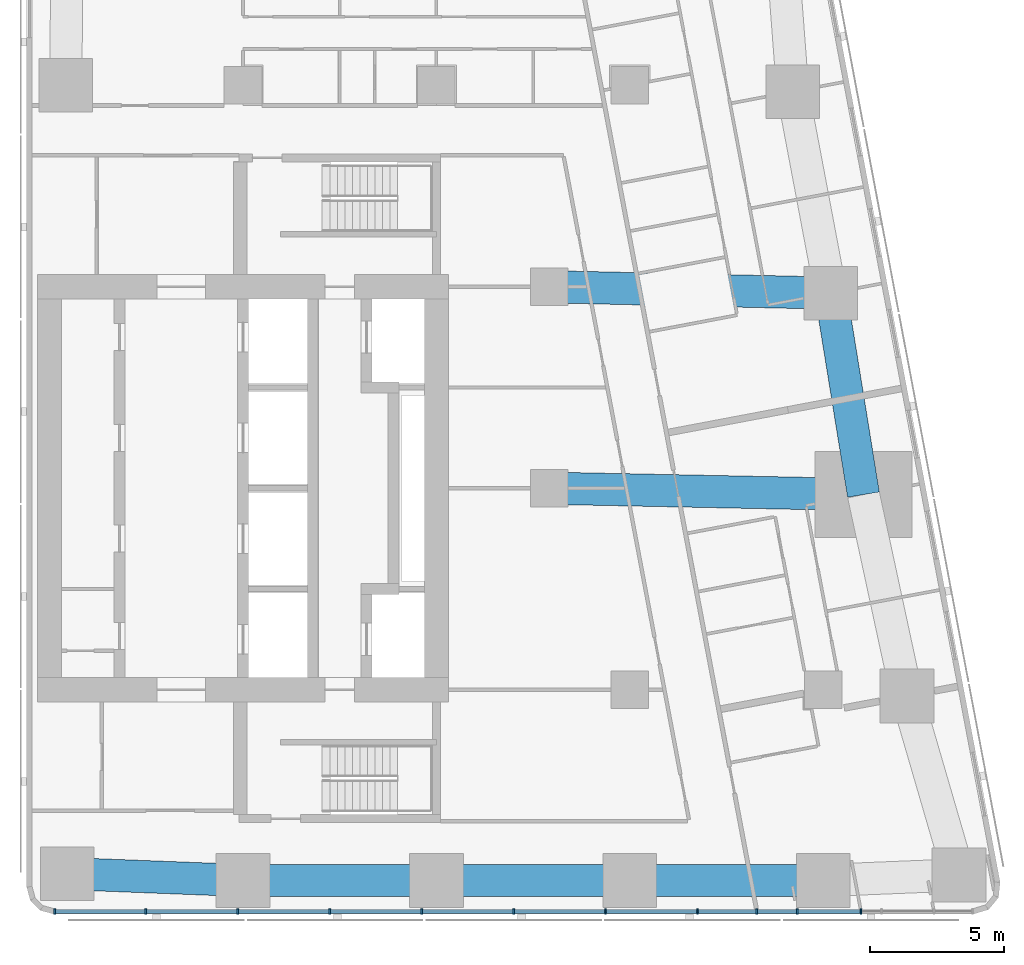
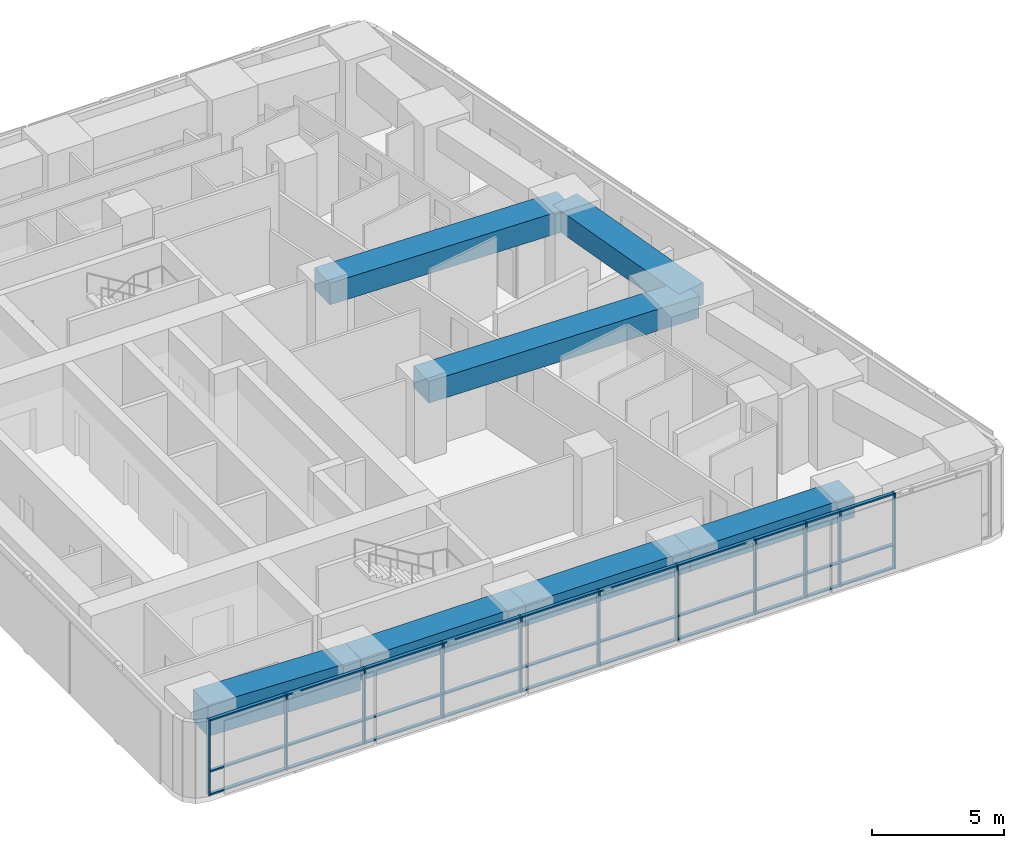
# One storey, part 2 of 11: 41 members, 7 beams, 1 element without a shape of its own.
"""IFC4 building model written with IfcOpenShell, lengths in metres."""

from ifc_helpers import new_model, si_unit, direction, frame, origin, origin_2d, place, context, subcontext, project, spatial, rectangle, extrude, material, material_profile, profile_set, type_object, element, aggregate, save


model = new_model("IFC4")

# Units and contexts
model_context = context("Model", 3, precision=1e-05, world=origin(), true_north=direction((0.0, 1.0)))
body_context = subcontext(model_context, "Body", "Model", "MODEL_VIEW")
ifc_project = project(units=[si_unit("LENGTHUNIT", "METRE"), si_unit("AREAUNIT", "SQUARE_METRE"), si_unit("VOLUMEUNIT", "CUBIC_METRE"), si_unit("PLANEANGLEUNIT", "RADIAN"), si_unit("MASSUNIT", "GRAM", prefix="KILO")], contexts=[model_context])

# Site, building, storey
site_placement = place(None, origin())
site = spatial("IfcSite", under=ifc_project, at=site_placement, CompositionType="ELEMENT")
building_placement = place(site_placement, origin())
building = spatial("IfcBuilding", under=site, at=building_placement, Name="Sheger Commons Tower", CompositionType="ELEMENT")
storey_placement = place(building_placement, frame((0.0, 0.0, 262.85009765625)))
storey = spatial("IfcBuildingStorey", under=building, at=storey_placement, Name="L67", CompositionType="ELEMENT", Elevation=262.85009765625)

# Beams
ifc_material_1 = material(Name="Concrete C50/60", Category="concrete")
ifc_material_profile_1 = material_profile(ifc_material_1, rectangle(XDim=1.199951171875, YDim=1.0, at=origin_2d()), Name="RC 1200x1000")
ifc_profile_set_1 = profile_set([ifc_material_profile_1], Name="Concrete C50/60")
beam_type_1 = type_object("IfcBeamType", Name="BEAM RC 1200x1000", PredefinedType="BEAM", material=ifc_profile_set_1)
beam_1_placement = place(storey_placement, frame((33.0, 22.5, 3.0), z_axis=(0.999794692776, -0.02026258368, 0.0), x_axis=(0.02026258368, 0.999794692776, 0.0)))
element("IfcBeam", 1, at=beam_1_placement, inside=storey, type_object=beam_type_1, Name="Beam 6-3000/D-7/D under L68", PredefinedType="BEAM", context=body_context, shape_type="SweptSolid", body=[
    extrude(rectangle(XDim=1.199951171875, YDim=1.0, at=origin_2d()), origin(), (0.0, 0.0, 1.0), 11.699462890625),
])
beam_2_placement = place(storey_placement, frame((33.0, 30.0, 3.0), z_axis=(0.999744258625, -0.022614538395, 0.0), x_axis=(0.022614538395, 0.999744258625, 0.0)))
element("IfcBeam", 2, at=beam_2_placement, inside=storey, type_object=beam_type_1, Name="Beam 6-3000/E-E/E under L68", PredefinedType="BEAM", context=body_context, shape_type="SweptSolid", body=[
    extrude(rectangle(XDim=1.199951171875, YDim=1.0, at=origin_2d()), origin(), (0.0, 0.0, 1.0), 10.482666015625),
])

# Curtain wall, members
ifc_material_2 = material(Name="Black aluminium curtain wall, dark tinted glazing", Category="aluminium")
curtain_wall_type = type_object("IfcCurtainWallType", Name="CURTAIN WALL CW5 SOUTH GALLERY", PredefinedType="USERDEFINED", material=ifc_material_2)
curtain_wall_placement = place(storey_placement, origin())
curtain_wall = element("IfcCurtainWall", 3, at=curtain_wall_placement, inside=storey, type_object=curtain_wall_type, Name="Curtain Wall Cw5 South Gallery S1 L67", ObjectType="UNITISED CURTAIN WALL", PredefinedType="USERDEFINED")
ifc_material_3 = material(Name="Black anodised aluminium", Category="aluminium")
ifc_material_profile_2 = material_profile(ifc_material_3, rectangle(XDim=0.199951171875, YDim=0.06494140625, at=origin_2d()), Name="AL 65x200")
ifc_profile_set_2 = profile_set([ifc_material_profile_2], Name="Black anodised aluminium")
member_type_1 = type_object("IfcMemberType", Name="MULLION AL 65x200", PredefinedType="MULLION", material=ifc_profile_set_2)
member_1_placement = place(storey_placement, frame((14.595458984375, 6.75, 0.0), z_axis=(0.0, 0.0, 1.0), x_axis=(0.0, 1.0, 0.0)))
member_1 = element("IfcMember", 4, at=member_1_placement, type_object=member_type_1, Name="CW5 mullion 1", PredefinedType="MULLION", context=body_context, shape_type="SweptSolid", body=[
    extrude(rectangle(XDim=0.199951171875, YDim=0.06494140625, at=origin_2d()), origin(), (0.0, 0.0, 1.0), 3.5),
])
member_2_placement = place(storey_placement, frame((17.985107421875, 6.75, 0.0), z_axis=(0.0, 0.0, 1.0), x_axis=(0.0, 1.0, 0.0)))
member_2 = element("IfcMember", 5, at=member_2_placement, type_object=member_type_1, Name="CW5 mullion 2", PredefinedType="MULLION", context=body_context, shape_type="SweptSolid", body=[
    extrude(rectangle(XDim=0.199951171875, YDim=0.06494140625, at=origin_2d()), origin(), (0.0, 0.0, 1.0), 3.5),
])
member_3_placement = place(storey_placement, frame((21.407958984375, 6.75, 0.0), z_axis=(0.0, 0.0, 1.0), x_axis=(0.0, 1.0, 0.0)))
member_3 = element("IfcMember", 6, at=member_3_placement, type_object=member_type_1, Name="CW5 mullion 3", PredefinedType="MULLION", context=body_context, shape_type="SweptSolid", body=[
    extrude(rectangle(XDim=0.199951171875, YDim=0.06494140625, at=origin_2d()), origin(), (0.0, 0.0, 1.0), 3.5),
])
member_4_placement = place(storey_placement, frame((24.830078125, 6.75, 0.0), z_axis=(0.0, 0.0, 1.0), x_axis=(0.0, 1.0, 0.0)))
member_4 = element("IfcMember", 7, at=member_4_placement, type_object=member_type_1, Name="CW5 mullion 4", PredefinedType="MULLION", context=body_context, shape_type="SweptSolid", body=[
    extrude(rectangle(XDim=0.199951171875, YDim=0.06494140625, at=origin_2d()), origin(), (0.0, 0.0, 1.0), 3.5),
])
member_5_placement = place(storey_placement, frame((28.2529296875, 6.75, 0.0), z_axis=(0.0, 0.0, 1.0), x_axis=(0.0, 1.0, 0.0)))
member_5 = element("IfcMember", 8, at=member_5_placement, type_object=member_type_1, Name="CW5 mullion 5", PredefinedType="MULLION", context=body_context, shape_type="SweptSolid", body=[
    extrude(rectangle(XDim=0.199951171875, YDim=0.06494140625, at=origin_2d()), origin(), (0.0, 0.0, 1.0), 3.5),
])
member_6_placement = place(storey_placement, frame((31.675048828125, 6.75, 0.0), z_axis=(0.0, 0.0, 1.0), x_axis=(0.0, 1.0, 0.0)))
member_6 = element("IfcMember", 9, at=member_6_placement, type_object=member_type_1, Name="CW5 mullion 6", PredefinedType="MULLION", context=body_context, shape_type="SweptSolid", body=[
    extrude(rectangle(XDim=0.199951171875, YDim=0.06494140625, at=origin_2d()), origin(), (0.0, 0.0, 1.0), 3.5),
])
member_7_placement = place(storey_placement, frame((35.096923828125, 6.75, 0.0), z_axis=(0.0, 0.0, 1.0), x_axis=(0.0, 1.0, 0.0)))
member_7 = element("IfcMember", 10, at=member_7_placement, type_object=member_type_1, Name="CW5 mullion 7", PredefinedType="MULLION", context=body_context, shape_type="SweptSolid", body=[
    extrude(rectangle(XDim=0.199951171875, YDim=0.06494140625, at=origin_2d()), origin(), (0.0, 0.0, 1.0), 3.5),
])
member_8_placement = place(storey_placement, frame((38.52001953125, 6.75, 0.0), z_axis=(0.0, 0.0, 1.0), x_axis=(0.0, 1.0, 0.0)))
member_8 = element("IfcMember", 11, at=member_8_placement, type_object=member_type_1, Name="CW5 mullion 8", PredefinedType="MULLION", context=body_context, shape_type="SweptSolid", body=[
    extrude(rectangle(XDim=0.199951171875, YDim=0.06494140625, at=origin_2d()), origin(), (0.0, 0.0, 1.0), 3.5),
])
member_9_placement = place(storey_placement, frame((40.72900390625, 6.75, 0.0), z_axis=(0.0, 0.0, 1.0), x_axis=(0.0, 1.0, 0.0)))
member_9 = element("IfcMember", 12, at=member_9_placement, type_object=member_type_1, Name="CW5 mullion 9", PredefinedType="MULLION", context=body_context, shape_type="SweptSolid", body=[
    extrude(rectangle(XDim=0.199951171875, YDim=0.06494140625, at=origin_2d()), origin(), (0.0, 0.0, 1.0), 3.5),
])
member_10_placement = place(storey_placement, frame((42.22802734375, 6.75, 0.0), z_axis=(0.0, 0.0, 1.0), x_axis=(0.0, 1.0, 0.0)))
member_10 = element("IfcMember", 13, at=member_10_placement, type_object=member_type_1, Name="CW5 mullion 10", PredefinedType="MULLION", context=body_context, shape_type="SweptSolid", body=[
    extrude(rectangle(XDim=0.199951171875, YDim=0.06494140625, at=origin_2d()), origin(), (0.0, 0.0, 1.0), 3.5),
])
member_11_placement = place(storey_placement, frame((44.60595703125, 6.75, 0.0), z_axis=(0.0, 0.0, 1.0), x_axis=(0.0, 1.0, 0.0)))
member_11 = element("IfcMember", 14, at=member_11_placement, type_object=member_type_1, Name="CW5 mullion 11", PredefinedType="MULLION", context=body_context, shape_type="SweptSolid", body=[
    extrude(rectangle(XDim=0.199951171875, YDim=0.06494140625, at=origin_2d()), origin(), (0.0, 0.0, 1.0), 3.5),
])

# Beams
ifc_material_4 = material(Name="Concrete C50/60", Category="concrete")
ifc_material_profile_3 = material_profile(ifc_material_4, rectangle(XDim=1.199951171875, YDim=1.0, at=origin_2d()), Name="RC 1200x1000")
ifc_profile_set_3 = profile_set([ifc_material_profile_3], Name="Concrete C50/60")
beam_type_2 = type_object("IfcBeamType", Name="SPANDREL RC 1200x1000", PredefinedType="SPANDREL", material=ifc_profile_set_3)
for number, where, z_axis, x_axis, name in (
    (15, (21.60009765625, 7.89990234375, 3.0), (1.0, 0.0, 0.0), (0.0, 1.0, 0.0), "Beam 4/B-5/B under L68"),
    (16, (28.800048828125, 7.89990234375, 3.0), (1.0, 0.0, 0.0), (0.0, 1.0, 0.0), "Beam 5/B-6/B under L68"),
    (17, (36.0, 7.89990234375, 3.0), (1.0, 0.0, 0.0), (0.0, 1.0, 0.0), "Beam 6/B-7/B under L68"),
):
    element("IfcBeam", number, at=place(storey_placement, frame(where, z_axis=z_axis, x_axis=x_axis)), inside=storey, type_object=beam_type_2, Name=name, PredefinedType="SPANDREL", context=body_context, shape_type="SweptSolid", body=[
        extrude(rectangle(XDim=1.199951171875, YDim=1.0, at=origin_2d()), origin(), (0.0, 0.0, 1.0), 7.199951171875),
    ])
beam_3_placement = place(storey_placement, frame((44.697021484375, 22.262939453125, 3.0), z_axis=(-0.160176929512, 0.987088319884, 0.0), x_axis=(-0.987088319884, -0.160176929512, 0.0)))
element("IfcBeam", 18, at=beam_3_placement, inside=storey, type_object=beam_type_2, Name="Beam E/D-E/E under L68", PredefinedType="SPANDREL", context=body_context, shape_type="SweptSolid", body=[
    extrude(rectangle(XDim=1.199951171875, YDim=1.0, at=origin_2d()), origin(), (0.0, 0.0, 1.0), 7.59814453125),
])
ifc_material_5 = material(Name="Concrete C50/60", Category="concrete")
ifc_material_profile_4 = material_profile(ifc_material_5, rectangle(XDim=1.199951171875, YDim=1.449951171875, at=origin_2d()), Name="RC 1200x1450")
ifc_profile_set_4 = profile_set([ifc_material_profile_4], Name="Concrete C50/60")
beam_type_3 = type_object("IfcBeamType", Name="SPANDREL RC 1200x1450", PredefinedType="SPANDREL", material=ifc_profile_set_4)
beam_4_placement = place(storey_placement, frame((15.053955078125, 8.154052734375, 2.77490234375), z_axis=(0.999247181966, -0.038795223079, 0.0), x_axis=(0.038795223079, 0.999247181966, 0.0)))
element("IfcBeam", 19, at=beam_4_placement, inside=storey, type_object=beam_type_3, Name="Beam 3/B-4/B under L68", PredefinedType="SPANDREL", context=body_context, shape_type="SweptSolid", body=[
    extrude(rectangle(XDim=1.199951171875, YDim=1.449951171875, at=origin_2d()), origin(), (0.0, 0.0, 1.0), 6.551025390625),
])

# Member
ifc_material_6 = material(Name="Black anodised aluminium", Category="aluminium")
ifc_material_profile_5 = material_profile(ifc_material_6, rectangle(XDim=0.14990234375, YDim=0.06494140625, at=origin_2d()), Name="AL 65x150")
ifc_profile_set_5 = profile_set([ifc_material_profile_5], Name="Black anodised aluminium")
member_type_2 = type_object("IfcMemberType", Name="TRANSOM AL 65x150", PredefinedType="USERDEFINED", material=ifc_profile_set_5)
member_12_placement = place(storey_placement, frame((14.6279296875, 6.75, 0.032470703125), z_axis=(1.0, 0.0, 0.0), x_axis=(0.0, 1.0, 0.0)))
member_12 = element("IfcMember", 20, at=member_12_placement, type_object=member_type_2, Name="CW5 transom 1.1", ObjectType="TRANSOM", PredefinedType="USERDEFINED", context=body_context, shape_type="SweptSolid", body=[
    extrude(rectangle(XDim=0.14990234375, YDim=0.06494140625, at=origin_2d()), origin(), (0.0, 0.0, 1.0), 3.324462890625),
])

member_13_placement = place(storey_placement, frame((14.6279296875, 6.75, 1.099853515625), z_axis=(1.0, 0.0, 0.0), x_axis=(0.0, 1.0, 0.0)))
member_13 = element("IfcMember", 21, at=member_13_placement, type_object=member_type_2, Name="CW5 transom 1.2", ObjectType="TRANSOM", PredefinedType="USERDEFINED", context=body_context, shape_type="SweptSolid", body=[
    extrude(rectangle(XDim=0.14990234375, YDim=0.06494140625, at=origin_2d()), origin(), (0.0, 0.0, 1.0), 3.324462890625),
])

member_14_placement = place(storey_placement, frame((14.6279296875, 6.75, 3.46728515625), z_axis=(1.0, 0.0, 0.0), x_axis=(0.0, 1.0, 0.0)))
member_14 = element("IfcMember", 22, at=member_14_placement, type_object=member_type_2, Name="CW5 transom 1.3", ObjectType="TRANSOM", PredefinedType="USERDEFINED", context=body_context, shape_type="SweptSolid", body=[
    extrude(rectangle(XDim=0.14990234375, YDim=0.06494140625, at=origin_2d()), origin(), (0.0, 0.0, 1.0), 3.324462890625),
])

member_15_placement = place(storey_placement, frame((18.017578125, 6.75, 0.032470703125), z_axis=(1.0, 0.0, 0.0), x_axis=(0.0, 1.0, 0.0)))
member_15 = element("IfcMember", 23, at=member_15_placement, type_object=member_type_2, Name="CW5 transom 2.1", ObjectType="TRANSOM", PredefinedType="USERDEFINED", context=body_context, shape_type="SweptSolid", body=[
    extrude(rectangle(XDim=0.14990234375, YDim=0.06494140625, at=origin_2d()), origin(), (0.0, 0.0, 1.0), 3.35791015625),
])

member_16_placement = place(storey_placement, frame((18.017578125, 6.75, 1.099853515625), z_axis=(1.0, 0.0, 0.0), x_axis=(0.0, 1.0, 0.0)))
member_16 = element("IfcMember", 24, at=member_16_placement, type_object=member_type_2, Name="CW5 transom 2.2", ObjectType="TRANSOM", PredefinedType="USERDEFINED", context=body_context, shape_type="SweptSolid", body=[
    extrude(rectangle(XDim=0.14990234375, YDim=0.06494140625, at=origin_2d()), origin(), (0.0, 0.0, 1.0), 3.35791015625),
])

member_17_placement = place(storey_placement, frame((18.017578125, 6.75, 3.46728515625), z_axis=(1.0, 0.0, 0.0), x_axis=(0.0, 1.0, 0.0)))
member_17 = element("IfcMember", 25, at=member_17_placement, type_object=member_type_2, Name="CW5 transom 2.3", ObjectType="TRANSOM", PredefinedType="USERDEFINED", context=body_context, shape_type="SweptSolid", body=[
    extrude(rectangle(XDim=0.14990234375, YDim=0.06494140625, at=origin_2d()), origin(), (0.0, 0.0, 1.0), 3.35791015625),
])

member_18_placement = place(storey_placement, frame((21.4404296875, 6.75, 0.032470703125), z_axis=(1.0, 0.0, 0.0), x_axis=(0.0, 1.0, 0.0)))
member_18 = element("IfcMember", 26, at=member_18_placement, type_object=member_type_2, Name="CW5 transom 3.1", ObjectType="TRANSOM", PredefinedType="USERDEFINED", context=body_context, shape_type="SweptSolid", body=[
    extrude(rectangle(XDim=0.14990234375, YDim=0.06494140625, at=origin_2d()), origin(), (0.0, 0.0, 1.0), 3.357177734375),
])

member_19_placement = place(storey_placement, frame((21.4404296875, 6.75, 1.099853515625), z_axis=(1.0, 0.0, 0.0), x_axis=(0.0, 1.0, 0.0)))
member_19 = element("IfcMember", 27, at=member_19_placement, type_object=member_type_2, Name="CW5 transom 3.2", ObjectType="TRANSOM", PredefinedType="USERDEFINED", context=body_context, shape_type="SweptSolid", body=[
    extrude(rectangle(XDim=0.14990234375, YDim=0.06494140625, at=origin_2d()), origin(), (0.0, 0.0, 1.0), 3.357177734375),
])

member_20_placement = place(storey_placement, frame((21.4404296875, 6.75, 3.46728515625), z_axis=(1.0, 0.0, 0.0), x_axis=(0.0, 1.0, 0.0)))
member_20 = element("IfcMember", 28, at=member_20_placement, type_object=member_type_2, Name="CW5 transom 3.3", ObjectType="TRANSOM", PredefinedType="USERDEFINED", context=body_context, shape_type="SweptSolid", body=[
    extrude(rectangle(XDim=0.14990234375, YDim=0.06494140625, at=origin_2d()), origin(), (0.0, 0.0, 1.0), 3.357177734375),
])

member_21_placement = place(storey_placement, frame((24.862548828125, 6.75, 0.032470703125), z_axis=(1.0, 0.0, 0.0), x_axis=(0.0, 1.0, 0.0)))
member_21 = element("IfcMember", 29, at=member_21_placement, type_object=member_type_2, Name="CW5 transom 4.1", ObjectType="TRANSOM", PredefinedType="USERDEFINED", context=body_context, shape_type="SweptSolid", body=[
    extrude(rectangle(XDim=0.14990234375, YDim=0.06494140625, at=origin_2d()), origin(), (0.0, 0.0, 1.0), 3.35791015625),
])

member_22_placement = place(storey_placement, frame((24.862548828125, 6.75, 1.099853515625), z_axis=(1.0, 0.0, 0.0), x_axis=(0.0, 1.0, 0.0)))
member_22 = element("IfcMember", 30, at=member_22_placement, type_object=member_type_2, Name="CW5 transom 4.2", ObjectType="TRANSOM", PredefinedType="USERDEFINED", context=body_context, shape_type="SweptSolid", body=[
    extrude(rectangle(XDim=0.14990234375, YDim=0.06494140625, at=origin_2d()), origin(), (0.0, 0.0, 1.0), 3.35791015625),
])

member_23_placement = place(storey_placement, frame((24.862548828125, 6.75, 3.46728515625), z_axis=(1.0, 0.0, 0.0), x_axis=(0.0, 1.0, 0.0)))
member_23 = element("IfcMember", 31, at=member_23_placement, type_object=member_type_2, Name="CW5 transom 4.3", ObjectType="TRANSOM", PredefinedType="USERDEFINED", context=body_context, shape_type="SweptSolid", body=[
    extrude(rectangle(XDim=0.14990234375, YDim=0.06494140625, at=origin_2d()), origin(), (0.0, 0.0, 1.0), 3.35791015625),
])

member_24_placement = place(storey_placement, frame((28.285400390625, 6.75, 0.032470703125), z_axis=(1.0, 0.0, 0.0), x_axis=(0.0, 1.0, 0.0)))
member_24 = element("IfcMember", 32, at=member_24_placement, type_object=member_type_2, Name="CW5 transom 5.1", ObjectType="TRANSOM", PredefinedType="USERDEFINED", context=body_context, shape_type="SweptSolid", body=[
    extrude(rectangle(XDim=0.14990234375, YDim=0.06494140625, at=origin_2d()), origin(), (0.0, 0.0, 1.0), 3.357177734375),
])

member_25_placement = place(storey_placement, frame((28.285400390625, 6.75, 1.099853515625), z_axis=(1.0, 0.0, 0.0), x_axis=(0.0, 1.0, 0.0)))
member_25 = element("IfcMember", 33, at=member_25_placement, type_object=member_type_2, Name="CW5 transom 5.2", ObjectType="TRANSOM", PredefinedType="USERDEFINED", context=body_context, shape_type="SweptSolid", body=[
    extrude(rectangle(XDim=0.14990234375, YDim=0.06494140625, at=origin_2d()), origin(), (0.0, 0.0, 1.0), 3.357177734375),
])

member_26_placement = place(storey_placement, frame((28.285400390625, 6.75, 3.46728515625), z_axis=(1.0, 0.0, 0.0), x_axis=(0.0, 1.0, 0.0)))
member_26 = element("IfcMember", 34, at=member_26_placement, type_object=member_type_2, Name="CW5 transom 5.3", ObjectType="TRANSOM", PredefinedType="USERDEFINED", context=body_context, shape_type="SweptSolid", body=[
    extrude(rectangle(XDim=0.14990234375, YDim=0.06494140625, at=origin_2d()), origin(), (0.0, 0.0, 1.0), 3.357177734375),
])

member_27_placement = place(storey_placement, frame((31.70751953125, 6.75, 0.032470703125), z_axis=(1.0, 0.0, 0.0), x_axis=(0.0, 1.0, 0.0)))
member_27 = element("IfcMember", 35, at=member_27_placement, type_object=member_type_2, Name="CW5 transom 6.1", ObjectType="TRANSOM", PredefinedType="USERDEFINED", context=body_context, shape_type="SweptSolid", body=[
    extrude(rectangle(XDim=0.14990234375, YDim=0.06494140625, at=origin_2d()), origin(), (0.0, 0.0, 1.0), 3.35693359375),
])

member_28_placement = place(storey_placement, frame((31.70751953125, 6.75, 1.099853515625), z_axis=(1.0, 0.0, 0.0), x_axis=(0.0, 1.0, 0.0)))
member_28 = element("IfcMember", 36, at=member_28_placement, type_object=member_type_2, Name="CW5 transom 6.2", ObjectType="TRANSOM", PredefinedType="USERDEFINED", context=body_context, shape_type="SweptSolid", body=[
    extrude(rectangle(XDim=0.14990234375, YDim=0.06494140625, at=origin_2d()), origin(), (0.0, 0.0, 1.0), 3.35693359375),
])

member_29_placement = place(storey_placement, frame((31.70751953125, 6.75, 3.46728515625), z_axis=(1.0, 0.0, 0.0), x_axis=(0.0, 1.0, 0.0)))
member_29 = element("IfcMember", 37, at=member_29_placement, type_object=member_type_2, Name="CW5 transom 6.3", ObjectType="TRANSOM", PredefinedType="USERDEFINED", context=body_context, shape_type="SweptSolid", body=[
    extrude(rectangle(XDim=0.14990234375, YDim=0.06494140625, at=origin_2d()), origin(), (0.0, 0.0, 1.0), 3.35693359375),
])

member_30_placement = place(storey_placement, frame((35.12939453125, 6.75, 0.032470703125), z_axis=(1.0, 0.0, 0.0), x_axis=(0.0, 1.0, 0.0)))
member_30 = element("IfcMember", 38, at=member_30_placement, type_object=member_type_2, Name="CW5 transom 7.1", ObjectType="TRANSOM", PredefinedType="USERDEFINED", context=body_context, shape_type="SweptSolid", body=[
    extrude(rectangle(XDim=0.14990234375, YDim=0.06494140625, at=origin_2d()), origin(), (0.0, 0.0, 1.0), 3.358154296875),
])

member_31_placement = place(storey_placement, frame((35.12939453125, 6.75, 1.099853515625), z_axis=(1.0, 0.0, 0.0), x_axis=(0.0, 1.0, 0.0)))
member_31 = element("IfcMember", 39, at=member_31_placement, type_object=member_type_2, Name="CW5 transom 7.2", ObjectType="TRANSOM", PredefinedType="USERDEFINED", context=body_context, shape_type="SweptSolid", body=[
    extrude(rectangle(XDim=0.14990234375, YDim=0.06494140625, at=origin_2d()), origin(), (0.0, 0.0, 1.0), 3.358154296875),
])

member_32_placement = place(storey_placement, frame((35.12939453125, 6.75, 3.46728515625), z_axis=(1.0, 0.0, 0.0), x_axis=(0.0, 1.0, 0.0)))
member_32 = element("IfcMember", 40, at=member_32_placement, type_object=member_type_2, Name="CW5 transom 7.3", ObjectType="TRANSOM", PredefinedType="USERDEFINED", context=body_context, shape_type="SweptSolid", body=[
    extrude(rectangle(XDim=0.14990234375, YDim=0.06494140625, at=origin_2d()), origin(), (0.0, 0.0, 1.0), 3.358154296875),
])

member_33_placement = place(storey_placement, frame((38.552490234375, 6.75, 0.032470703125), z_axis=(1.0, 0.0, 0.0), x_axis=(0.0, 1.0, 0.0)))
member_33 = element("IfcMember", 41, at=member_33_placement, type_object=member_type_2, Name="CW5 transom 8.1", ObjectType="TRANSOM", PredefinedType="USERDEFINED", context=body_context, shape_type="SweptSolid", body=[
    extrude(rectangle(XDim=0.14990234375, YDim=0.06494140625, at=origin_2d()), origin(), (0.0, 0.0, 1.0), 2.14404296875),
])

member_34_placement = place(storey_placement, frame((38.552490234375, 6.75, 1.099853515625), z_axis=(1.0, 0.0, 0.0), x_axis=(0.0, 1.0, 0.0)))
member_34 = element("IfcMember", 42, at=member_34_placement, type_object=member_type_2, Name="CW5 transom 8.2", ObjectType="TRANSOM", PredefinedType="USERDEFINED", context=body_context, shape_type="SweptSolid", body=[
    extrude(rectangle(XDim=0.14990234375, YDim=0.06494140625, at=origin_2d()), origin(), (0.0, 0.0, 1.0), 2.14404296875),
])

member_35_placement = place(storey_placement, frame((38.552490234375, 6.75, 3.46728515625), z_axis=(1.0, 0.0, 0.0), x_axis=(0.0, 1.0, 0.0)))
member_35 = element("IfcMember", 43, at=member_35_placement, type_object=member_type_2, Name="CW5 transom 8.3", ObjectType="TRANSOM", PredefinedType="USERDEFINED", context=body_context, shape_type="SweptSolid", body=[
    extrude(rectangle(XDim=0.14990234375, YDim=0.06494140625, at=origin_2d()), origin(), (0.0, 0.0, 1.0), 2.14404296875),
])

member_36_placement = place(storey_placement, frame((40.761474609375, 6.75, 0.032470703125), z_axis=(1.0, 0.0, 0.0), x_axis=(0.0, 1.0, 0.0)))
member_36 = element("IfcMember", 44, at=member_36_placement, type_object=member_type_2, Name="CW5 transom 9.1", ObjectType="TRANSOM", PredefinedType="USERDEFINED", context=body_context, shape_type="SweptSolid", body=[
    extrude(rectangle(XDim=0.14990234375, YDim=0.06494140625, at=origin_2d()), origin(), (0.0, 0.0, 1.0), 1.43408203125),
])

member_37_placement = place(storey_placement, frame((40.761474609375, 6.75, 1.099853515625), z_axis=(1.0, 0.0, 0.0), x_axis=(0.0, 1.0, 0.0)))
member_37 = element("IfcMember", 45, at=member_37_placement, type_object=member_type_2, Name="CW5 transom 9.2", ObjectType="TRANSOM", PredefinedType="USERDEFINED", context=body_context, shape_type="SweptSolid", body=[
    extrude(rectangle(XDim=0.14990234375, YDim=0.06494140625, at=origin_2d()), origin(), (0.0, 0.0, 1.0), 1.43408203125),
])

member_38_placement = place(storey_placement, frame((40.761474609375, 6.75, 3.46728515625), z_axis=(1.0, 0.0, 0.0), x_axis=(0.0, 1.0, 0.0)))
member_38 = element("IfcMember", 46, at=member_38_placement, type_object=member_type_2, Name="CW5 transom 9.3", ObjectType="TRANSOM", PredefinedType="USERDEFINED", context=body_context, shape_type="SweptSolid", body=[
    extrude(rectangle(XDim=0.14990234375, YDim=0.06494140625, at=origin_2d()), origin(), (0.0, 0.0, 1.0), 1.43408203125),
])

member_39_placement = place(storey_placement, frame((42.260498046875, 6.75, 0.032470703125), z_axis=(1.0, 0.0, 0.0), x_axis=(0.0, 1.0, 0.0)))
member_39 = element("IfcMember", 47, at=member_39_placement, type_object=member_type_2, Name="CW5 transom 10.1", ObjectType="TRANSOM", PredefinedType="USERDEFINED", context=body_context, shape_type="SweptSolid", body=[
    extrude(rectangle(XDim=0.14990234375, YDim=0.06494140625, at=origin_2d()), origin(), (0.0, 0.0, 1.0), 2.31298828125),
])

member_40_placement = place(storey_placement, frame((42.260498046875, 6.75, 1.099853515625), z_axis=(1.0, 0.0, 0.0), x_axis=(0.0, 1.0, 0.0)))
member_40 = element("IfcMember", 48, at=member_40_placement, type_object=member_type_2, Name="CW5 transom 10.2", ObjectType="TRANSOM", PredefinedType="USERDEFINED", context=body_context, shape_type="SweptSolid", body=[
    extrude(rectangle(XDim=0.14990234375, YDim=0.06494140625, at=origin_2d()), origin(), (0.0, 0.0, 1.0), 2.31298828125),
])

member_41_placement = place(storey_placement, frame((42.260498046875, 6.75, 3.46728515625), z_axis=(1.0, 0.0, 0.0), x_axis=(0.0, 1.0, 0.0)))
member_41 = element("IfcMember", 49, at=member_41_placement, type_object=member_type_2, Name="CW5 transom 10.3", ObjectType="TRANSOM", PredefinedType="USERDEFINED", context=body_context, shape_type="SweptSolid", body=[
    extrude(rectangle(XDim=0.14990234375, YDim=0.06494140625, at=origin_2d()), origin(), (0.0, 0.0, 1.0), 2.31298828125),
])

aggregate(curtain_wall, [member_1, member_2, member_3, member_4, member_5, member_6, member_7, member_8, member_9, member_10, member_11, member_12, member_13, member_14, member_15, member_16, member_17, member_18, member_19, member_20, member_21, member_22, member_23, member_24, member_25, member_26, member_27, member_28, member_29, member_30, member_31, member_32, member_33, member_34, member_35, member_36, member_37, member_38, member_39, member_40, member_41])

save(model, "model.ifc")
